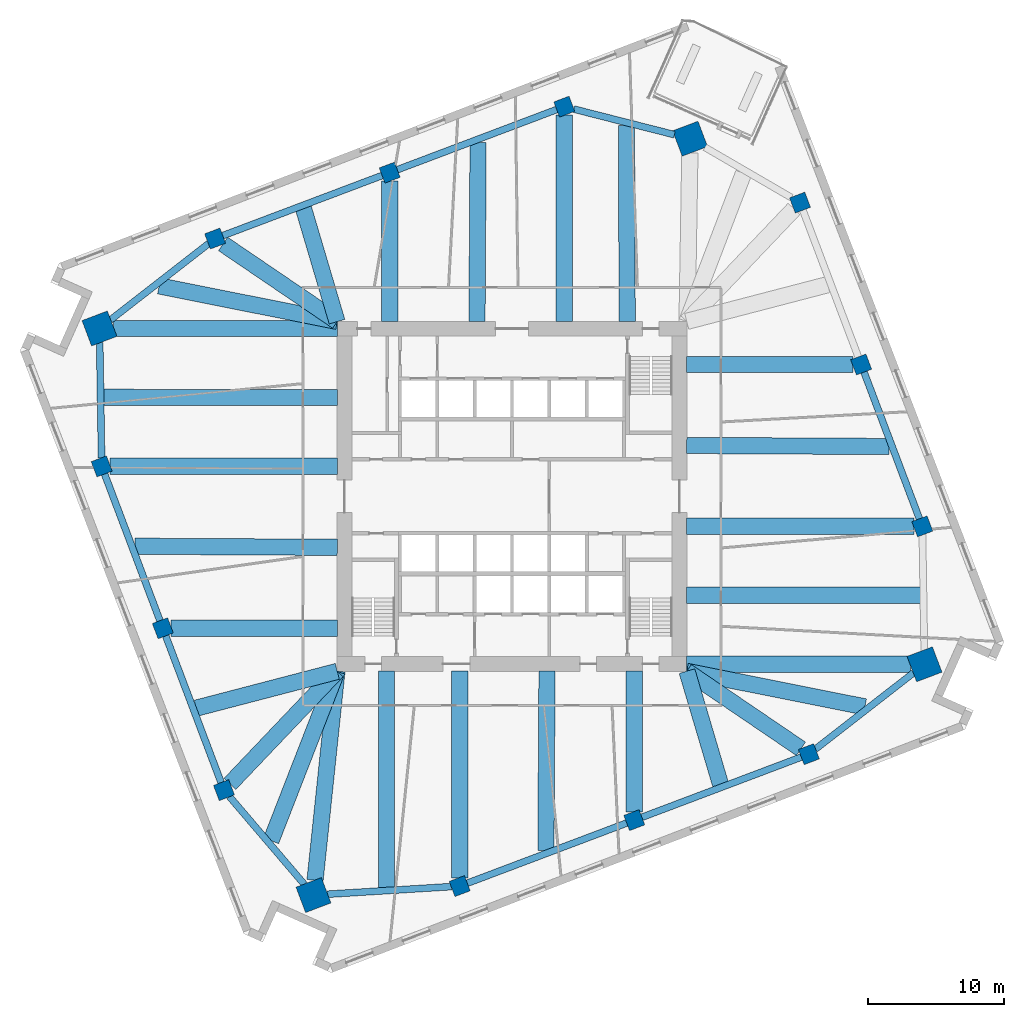
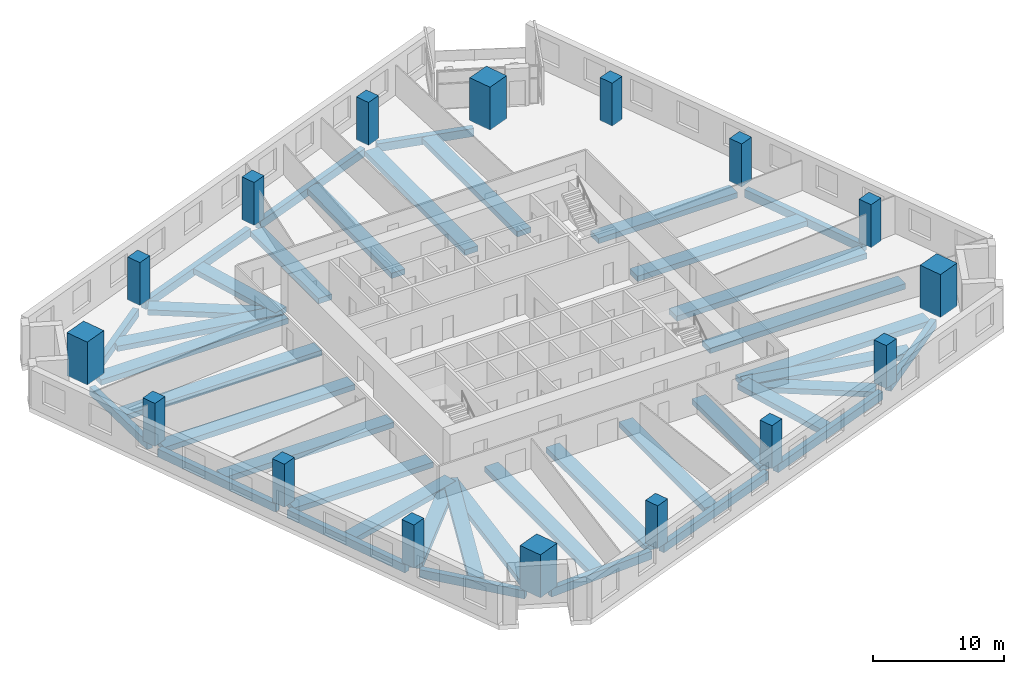
# One storey, part 1 of 14: 41 beams, 16 columns.
"""IFC4 building model written with IfcOpenShell, lengths in metres."""

from ifc_helpers import new_model, si_unit, direction, frame, origin, origin_2d, place, context, subcontext, project, spatial, rectangle, extrude, material, material_profile, profile_set, type_object, element, save


model = new_model("IFC4")

# Units and contexts
model_context = context("Model", 3, precision=1e-05, world=origin(), true_north=direction((0.0, 1.0)))
body_context = subcontext(model_context, "Body", "Model", "MODEL_VIEW")
ifc_project = project(units=[si_unit("LENGTHUNIT", "METRE"), si_unit("AREAUNIT", "SQUARE_METRE"), si_unit("VOLUMEUNIT", "CUBIC_METRE"), si_unit("PLANEANGLEUNIT", "RADIAN"), si_unit("MASSUNIT", "GRAM", prefix="KILO")], contexts=[model_context])

# Site, building, storey
site_placement = place(None, origin())
site = spatial("IfcSite", under=ifc_project, at=site_placement, CompositionType="ELEMENT")
building_placement = place(site_placement, origin())
building = spatial("IfcBuilding", under=site, at=building_placement, Name="Dilmun Exchange Tower", CompositionType="ELEMENT")
storey_placement = place(building_placement, frame((0.0, 0.0, 110.10009765625)))
storey = spatial("IfcBuildingStorey", under=building, at=storey_placement, Name="L25", CompositionType="ELEMENT", Elevation=110.10009765625)

# Columns
ifc_material_1 = material(Name="Concrete C70/85", Category="concrete")
ifc_material_profile_1 = material_profile(ifc_material_1, rectangle(XDim=2.0, YDim=2.0, at=origin_2d()), Name="2000 x 2000")
ifc_profile_set_1 = profile_set([ifc_material_profile_1], Name="Concrete C70/85")
column_type_1 = type_object("IfcColumnType", Name="RC mega column 2000 x 2000 C70/85", PredefinedType="COLUMN", material=ifc_profile_set_1)
for number, where, z_axis, x_axis, name in (
    (1, (13.1220703125, 26.35400390625, 0.0), (0.0, 0.0, 1.0), (0.935491525991, 0.353349125935, 0.0), "Mega column M1"),
    (2, (-30.39404296875, 12.37109375, 0.0), (0.0, 0.0, 1.0), (0.935491525991, 0.353349125935, 0.0), "Mega column M2"),
    (3, (-14.6259765625, -29.3759765625, 0.0), (0.0, 0.0, 1.0), (0.935491525991, 0.353349125935, 0.0), "Mega column M3"),
    (4, (30.39404296875, -12.37109375, 0.0), (0.0, 0.0, 1.0), (0.935491525991, 0.353349125935, 0.0), "Mega column M4"),
):
    element("IfcColumn", number, at=place(storey_placement, frame(where, z_axis=z_axis, x_axis=x_axis)), inside=storey, type_object=column_type_1, Name=name, PredefinedType="COLUMN", context=body_context, shape_type="SweptSolid", body=[
        extrude(rectangle(XDim=2.0, YDim=2.0, at=origin_2d()), origin(), (0.0, 0.0, 1.0), 4.0),
    ])
ifc_material_profile_2 = material_profile(ifc_material_1, rectangle(XDim=1.199951171875, YDim=1.199951171875, at=origin_2d()), Name="1200 x 1200")
ifc_profile_set_2 = profile_set([ifc_material_profile_2], Name="Concrete C70/85")
column_type_2 = type_object("IfcColumnType", Name="RC ring column 1200 x 1200 C70/85", PredefinedType="COLUMN", material=ifc_profile_set_2)
for number, where, z_axis, x_axis, name in (
    (5, (3.85302734375, 28.714111328125, 0.0), (0.0, 0.0, 1.0), (0.935491525991, 0.353349125935, 0.0), "Ring column R01"),
    (6, (-9.010009765625, 23.85498046875, 0.0), (0.0, 0.0, 1.0), (0.935491525991, 0.353349125935, 0.0), "Ring column R02"),
    (7, (-21.873046875, 18.99609375, 0.0), (0.0, 0.0, 1.0), (0.935491525991, 0.353349125935, 0.0), "Ring column R03"),
    (8, (-30.23095703125, 2.2099609375, 0.0), (0.0, 0.0, 1.0), (0.935491525991, 0.353349125935, 0.0), "Ring column R04"),
    (9, (-25.72607421875, -9.717041015625, 0.0), (0.0, 0.0, 1.0), (0.935491525991, 0.353349125935, 0.0), "Ring column R05"),
    (10, (-21.220947265625, -21.64501953125, 0.0), (0.0, 0.0, 1.0), (0.935491525991, 0.353349125935, 0.0), "Ring column R06"),
    (11, (-3.85302734375, -28.714111328125, 0.0), (0.0, 0.0, 1.0), (0.935491525991, 0.353349125935, 0.0), "Ring column R07"),
    (12, (9.010009765625, -23.85498046875, 0.0), (0.0, 0.0, 1.0), (0.935491525991, 0.353349125935, 0.0), "Ring column R08"),
    (13, (21.873046875, -18.99609375, 0.0), (0.0, 0.0, 1.0), (0.935491525991, 0.353349125935, 0.0), "Ring column R09"),
    (14, (30.23095703125, -2.2099609375, 0.0), (0.0, 0.0, 1.0), (0.935491525991, 0.353349125935, 0.0), "Ring column R10"),
    (15, (25.72607421875, 9.717041015625, 0.0), (0.0, 0.0, 1.0), (0.935491525991, 0.353349125935, 0.0), "Ring column R11"),
    (16, (21.220947265625, 21.64501953125, 0.0), (0.0, 0.0, 1.0), (0.935491525991, 0.353349125935, 0.0), "Ring column R12"),
):
    element("IfcColumn", number, at=place(storey_placement, frame(where, z_axis=z_axis, x_axis=x_axis)), inside=storey, type_object=column_type_2, Name=name, PredefinedType="COLUMN", context=body_context, shape_type="SweptSolid", body=[
        extrude(rectangle(XDim=1.199951171875, YDim=1.199951171875, at=origin_2d()), origin(), (0.0, 0.0, 1.0), 4.0),
    ])

# Beams
ifc_material_2 = material(Name="Concrete C40/50", Category="concrete")
ifc_material_profile_3 = material_profile(ifc_material_2, rectangle(XDim=1.199951171875, YDim=0.5, at=origin_2d()), Name="1200 x 500")
ifc_profile_set_3 = profile_set([ifc_material_profile_3], Name="Concrete C40/50")
beam_type_1 = type_object("IfcBeamType", Name="RC band beam 1200 x 500 C40/50", PredefinedType="BEAM", material=ifc_profile_set_3)
beam_1_placement = place(storey_placement, frame((3.85302734375, 28.099609375, -0.77001953125), z_axis=(0.0, -1.0, 0.0), x_axis=(1.0, 0.0, 0.0)))
element("IfcBeam", 17, at=beam_1_placement, inside=storey, type_object=beam_type_1, Name="Band beam 2", PredefinedType="BEAM", context=body_context, shape_type="SweptSolid", body=[
    extrude(rectangle(XDim=1.199951171875, YDim=0.5, at=origin_2d()), origin(), (0.0, 0.0, 1.0), 15.2265625),
])
beam_2_placement = place(storey_placement, frame((-9.010009765625, 23.240478515625, -0.77001953125), z_axis=(0.0, -1.0, 0.0), x_axis=(1.0, 0.0, 0.0)))
element("IfcBeam", 18, at=beam_2_placement, inside=storey, type_object=beam_type_1, Name="Band beam 3", PredefinedType="BEAM", context=body_context, shape_type="SweptSolid", body=[
    extrude(rectangle(XDim=1.199951171875, YDim=0.5, at=origin_2d()), origin(), (0.0, 0.0, 1.0), 10.367431640625),
])
beam_3_placement = place(storey_placement, frame((-21.28857421875, 18.59912109375, -0.77001953125), z_axis=(0.827157308771, -0.561970449888, 0.0), x_axis=(0.561970449888, 0.827157308771, 0.0)))
element("IfcBeam", 19, at=beam_3_placement, inside=storey, type_object=beam_type_1, Name="Band beam 4", PredefinedType="BEAM", context=body_context, shape_type="SweptSolid", body=[
    extrude(rectangle(XDim=1.199951171875, YDim=0.5, at=origin_2d()), origin(), (0.0, 0.0, 1.0), 10.16845703125),
])
beam_4_placement = place(storey_placement, frame((-29.35205078125, 12.37109375, -0.77001953125), z_axis=(1.0, 0.0, 0.0), x_axis=(0.0, 1.0, 0.0)))
element("IfcBeam", 20, at=beam_4_placement, inside=storey, type_object=beam_type_1, Name="Band beam 5", PredefinedType="BEAM", context=body_context, shape_type="SweptSolid", body=[
    extrude(rectangle(XDim=1.199951171875, YDim=0.5, at=origin_2d()), origin(), (0.0, 0.0, 1.0), 16.47900390625),
])
beam_5_placement = place(storey_placement, frame((-29.61669921875, 2.2099609375, -0.77001953125), z_axis=(1.0, 0.0, 0.0), x_axis=(0.0, 1.0, 0.0)))
element("IfcBeam", 21, at=beam_5_placement, inside=storey, type_object=beam_type_1, Name="Band beam 6", PredefinedType="BEAM", context=body_context, shape_type="SweptSolid", body=[
    extrude(rectangle(XDim=1.199951171875, YDim=0.5, at=origin_2d()), origin(), (0.0, 0.0, 1.0), 16.74365234375),
])
beam_6_placement = place(storey_placement, frame((-25.111572265625, -9.717041015625, -0.77001953125), z_axis=(1.0, 0.0, 0.0), x_axis=(0.0, 1.0, 0.0)))
element("IfcBeam", 22, at=beam_6_placement, inside=storey, type_object=beam_type_1, Name="Band beam 7", PredefinedType="BEAM", context=body_context, shape_type="SweptSolid", body=[
    extrude(rectangle(XDim=1.199951171875, YDim=0.5, at=origin_2d()), origin(), (0.0, 0.0, 1.0), 12.238525390625),
])
beam_7_placement = place(storey_placement, frame((-20.780517578125, -21.181884765625, -0.77001953125), z_axis=(0.689333244672, 0.724444392476, 0.0), x_axis=(-0.724444392476, 0.689333244672, 0.0)))
element("IfcBeam", 23, at=beam_7_placement, inside=storey, type_object=beam_type_1, Name="Band beam 8", PredefinedType="BEAM", context=body_context, shape_type="SweptSolid", body=[
    extrude(rectangle(XDim=1.199951171875, YDim=0.5, at=origin_2d()), origin(), (0.0, 0.0, 1.0), 11.459228515625),
])
beam_8_placement = place(storey_placement, frame((-14.51220703125, -28.289794921875, -0.77001953125), z_axis=(0.104185478447, 0.994557884731, 0.0), x_axis=(-0.994557884731, 0.104185478447, 0.0)))
element("IfcBeam", 24, at=beam_8_placement, inside=storey, type_object=beam_type_1, Name="Band beam 9", PredefinedType="BEAM", context=body_context, shape_type="SweptSolid", body=[
    extrude(rectangle(XDim=1.199951171875, YDim=0.5, at=origin_2d()), origin(), (0.0, 0.0, 1.0), 15.501220703125),
])
beam_9_placement = place(storey_placement, frame((-3.85302734375, -28.099609375, -0.77001953125), z_axis=(0.0, 1.0, 0.0), x_axis=(-1.0, 0.0, 0.0)))
element("IfcBeam", 25, at=beam_9_placement, inside=storey, type_object=beam_type_1, Name="Band beam 10", PredefinedType="BEAM", context=body_context, shape_type="SweptSolid", body=[
    extrude(rectangle(XDim=1.199951171875, YDim=0.5, at=origin_2d()), origin(), (0.0, 0.0, 1.0), 15.2265625),
])
beam_10_placement = place(storey_placement, frame((9.010009765625, -23.240478515625, -0.77001953125), z_axis=(0.0, 1.0, 0.0), x_axis=(-1.0, 0.0, 0.0)))
element("IfcBeam", 26, at=beam_10_placement, inside=storey, type_object=beam_type_1, Name="Band beam 11", PredefinedType="BEAM", context=body_context, shape_type="SweptSolid", body=[
    extrude(rectangle(XDim=1.199951171875, YDim=0.5, at=origin_2d()), origin(), (0.0, 0.0, 1.0), 10.367431640625),
])
beam_11_placement = place(storey_placement, frame((21.28857421875, -18.59912109375, -0.77001953125), z_axis=(-0.827157308771, 0.561970449888, 0.0), x_axis=(-0.561970449888, -0.827157308771, 0.0)))
element("IfcBeam", 27, at=beam_11_placement, inside=storey, type_object=beam_type_1, Name="Band beam 12", PredefinedType="BEAM", context=body_context, shape_type="SweptSolid", body=[
    extrude(rectangle(XDim=1.199951171875, YDim=0.5, at=origin_2d()), origin(), (0.0, 0.0, 1.0), 10.16845703125),
])
beam_12_placement = place(storey_placement, frame((29.35205078125, -12.37109375, -0.77001953125), z_axis=(-1.0, 0.0, 0.0), x_axis=(0.0, -1.0, 0.0)))
element("IfcBeam", 28, at=beam_12_placement, inside=storey, type_object=beam_type_1, Name="Band beam 13", PredefinedType="BEAM", context=body_context, shape_type="SweptSolid", body=[
    extrude(rectangle(XDim=1.199951171875, YDim=0.5, at=origin_2d()), origin(), (0.0, 0.0, 1.0), 16.47900390625),
])
beam_13_placement = place(storey_placement, frame((29.61669921875, -2.2099609375, -0.77001953125), z_axis=(-1.0, 0.0, 0.0), x_axis=(0.0, -1.0, 0.0)))
element("IfcBeam", 29, at=beam_13_placement, inside=storey, type_object=beam_type_1, Name="Band beam 14", PredefinedType="BEAM", context=body_context, shape_type="SweptSolid", body=[
    extrude(rectangle(XDim=1.199951171875, YDim=0.5, at=origin_2d()), origin(), (0.0, 0.0, 1.0), 16.74365234375),
])
beam_14_placement = place(storey_placement, frame((25.111572265625, 9.717041015625, -0.77001953125), z_axis=(-1.0, 0.0, 0.0), x_axis=(0.0, -1.0, 0.0)))
element("IfcBeam", 30, at=beam_14_placement, inside=storey, type_object=beam_type_1, Name="Band beam 15", PredefinedType="BEAM", context=body_context, shape_type="SweptSolid", body=[
    extrude(rectangle(XDim=1.199951171875, YDim=0.5, at=origin_2d()), origin(), (0.0, 0.0, 1.0), 12.238525390625),
])
beam_15_placement = place(storey_placement, frame((8.4326171875, 27.31787109375, -0.670166015625), z_axis=(0.003802832253, -0.999992769207, 0.0), x_axis=(0.999992769207, 0.003802832253, 0.0)))
element("IfcBeam", 31, at=beam_15_placement, inside=storey, type_object=beam_type_1, Name="Band beam 17", PredefinedType="BEAM", context=body_context, shape_type="SweptSolid", body=[
    extrude(rectangle(XDim=1.199951171875, YDim=0.5, at=origin_2d()), origin(), (0.0, 0.0, 1.0), 14.44482421875),
])
beam_16_placement = place(storey_placement, frame((-2.499755859375, 26.075927734375, -0.670166015625), z_axis=(-0.005972637047, -0.999982163644, 0.0), x_axis=(0.999982163644, -0.005972637047, 0.0)))
element("IfcBeam", 32, at=beam_16_placement, inside=storey, type_object=beam_type_1, Name="Band beam 18", PredefinedType="BEAM", context=body_context, shape_type="SweptSolid", body=[
    extrude(rectangle(XDim=1.199951171875, YDim=0.5, at=origin_2d()), origin(), (0.0, 0.0, 1.0), 13.203125),
])
beam_17_placement = place(storey_placement, frame((-15.36279296875, 21.216796875, -0.670166015625), z_axis=(0.283932601838, -0.958844240538, 0.0), x_axis=(0.958844240538, 0.283932601838, 0.0)))
element("IfcBeam", 33, at=beam_17_placement, inside=storey, type_object=beam_type_1, Name="Band beam 19", PredefinedType="BEAM", context=body_context, shape_type="SweptSolid", body=[
    extrude(rectangle(XDim=1.199951171875, YDim=0.5, at=origin_2d()), origin(), (0.0, 0.0, 1.0), 8.700927734375),
])
beam_18_placement = place(storey_placement, frame((-25.99658203125, 15.50732421875, -0.670166015625), z_axis=(0.980746640289, -0.19528447855, 0.0), x_axis=(0.19528447855, 0.980746640289, 0.0)))
element("IfcBeam", 34, at=beam_18_placement, inside=storey, type_object=beam_type_1, Name="Band beam 20", PredefinedType="BEAM", context=body_context, shape_type="SweptSolid", body=[
    extrude(rectangle(XDim=1.199951171875, YDim=0.5, at=origin_2d()), origin(), (0.0, 0.0, 1.0), 13.380615234375),
])
beam_19_placement = place(storey_placement, frame((-30.089599609375, 7.294189453125, -0.670166015625), z_axis=(0.999999977378, -0.000212708627, 0.0), x_axis=(0.000212708627, 0.999999977378, 0.0)))
element("IfcBeam", 35, at=beam_19_placement, inside=storey, type_object=beam_type_1, Name="Band beam 21", PredefinedType="BEAM", context=body_context, shape_type="SweptSolid", body=[
    extrude(rectangle(XDim=1.199951171875, YDim=0.5, at=origin_2d()), origin(), (0.0, 0.0, 1.0), 17.216552734375),
])
beam_20_placement = place(storey_placement, frame((-27.77001953125, -3.6748046875, -0.670166015625), z_axis=(0.999986076233, -0.005277057861, 0.0), x_axis=(0.005277057861, 0.999986076233, 0.0)))
element("IfcBeam", 36, at=beam_20_placement, inside=storey, type_object=beam_type_1, Name="Band beam 22", PredefinedType="BEAM", context=body_context, shape_type="SweptSolid", body=[
    extrude(rectangle(XDim=1.199951171875, YDim=0.5, at=origin_2d()), origin(), (0.0, 0.0, 1.0), 14.897216796875),
])
beam_21_placement = place(storey_placement, frame((-23.264892578125, -15.602294921875, -0.670166015625), z_axis=(0.967651305888, 0.252291399404, 0.0), x_axis=(-0.252291399404, 0.967651305888, 0.0)))
element("IfcBeam", 37, at=beam_21_placement, inside=storey, type_object=beam_type_1, Name="Band beam 23", PredefinedType="BEAM", context=body_context, shape_type="SweptSolid", body=[
    extrude(rectangle(XDim=1.199951171875, YDim=0.5, at=origin_2d()), origin(), (0.0, 0.0, 1.0), 10.738525390625),
])
beam_22_placement = place(storey_placement, frame((-17.75390625, -25.36572265625, -0.670166015625), z_axis=(0.362868113779, 0.931840507814, 0.0), x_axis=(-0.931840507814, 0.362868113779, 0.0)))
element("IfcBeam", 38, at=beam_22_placement, inside=storey, type_object=beam_type_1, Name="Band beam 24", PredefinedType="BEAM", context=body_context, shape_type="SweptSolid", body=[
    extrude(rectangle(XDim=1.199951171875, YDim=0.5, at=origin_2d()), origin(), (0.0, 0.0, 1.0), 13.404296875),
])
beam_23_placement = place(storey_placement, frame((-9.253173828125, -28.822509765625, -0.670166015625), z_axis=(0.000857199397, 0.999999632605, 0.0), x_axis=(-0.999999632605, 0.000857199397, 0.0)))
element("IfcBeam", 39, at=beam_23_placement, inside=storey, type_object=beam_type_1, Name="Band beam 25", PredefinedType="BEAM", context=body_context, shape_type="SweptSolid", body=[
    extrude(rectangle(XDim=1.199951171875, YDim=0.5, at=origin_2d()), origin(), (0.0, 0.0, 1.0), 15.949462890625),
])
beam_24_placement = place(storey_placement, frame((2.499755859375, -26.075927734375, -0.670166015625), z_axis=(0.005972637047, 0.999982163644, 0.0), x_axis=(-0.999982163644, 0.005972637047, 0.0)))
element("IfcBeam", 40, at=beam_24_placement, inside=storey, type_object=beam_type_1, Name="Band beam 26", PredefinedType="BEAM", context=body_context, shape_type="SweptSolid", body=[
    extrude(rectangle(XDim=1.199951171875, YDim=0.5, at=origin_2d()), origin(), (0.0, 0.0, 1.0), 13.203125),
])
beam_25_placement = place(storey_placement, frame((15.36279296875, -21.216796875, -0.670166015625), z_axis=(-0.283932601838, 0.958844240538, 0.0), x_axis=(-0.958844240538, -0.283932601838, 0.0)))
element("IfcBeam", 41, at=beam_25_placement, inside=storey, type_object=beam_type_1, Name="Band beam 27", PredefinedType="BEAM", context=body_context, shape_type="SweptSolid", body=[
    extrude(rectangle(XDim=1.199951171875, YDim=0.5, at=origin_2d()), origin(), (0.0, 0.0, 1.0), 8.700927734375),
])
beam_26_placement = place(storey_placement, frame((25.99658203125, -15.50732421875, -0.670166015625), z_axis=(-0.980746640289, 0.19528447855, 0.0), x_axis=(-0.19528447855, -0.980746640289, 0.0)))
element("IfcBeam", 42, at=beam_26_placement, inside=storey, type_object=beam_type_1, Name="Band beam 28", PredefinedType="BEAM", context=body_context, shape_type="SweptSolid", body=[
    extrude(rectangle(XDim=1.199951171875, YDim=0.5, at=origin_2d()), origin(), (0.0, 0.0, 1.0), 13.380615234375),
])
beam_27_placement = place(storey_placement, frame((30.089599609375, -7.294189453125, -0.670166015625), z_axis=(-0.999999977378, 0.000212708627, 0.0), x_axis=(-0.000212708627, -0.999999977378, 0.0)))
element("IfcBeam", 43, at=beam_27_placement, inside=storey, type_object=beam_type_1, Name="Band beam 29", PredefinedType="BEAM", context=body_context, shape_type="SweptSolid", body=[
    extrude(rectangle(XDim=1.199951171875, YDim=0.5, at=origin_2d()), origin(), (0.0, 0.0, 1.0), 17.216552734375),
])
beam_28_placement = place(storey_placement, frame((27.77001953125, 3.6748046875, -0.670166015625), z_axis=(-0.999986076233, 0.005277057861, 0.0), x_axis=(-0.005277057861, -0.999986076233, 0.0)))
element("IfcBeam", 44, at=beam_28_placement, inside=storey, type_object=beam_type_1, Name="Band beam 30", PredefinedType="BEAM", context=body_context, shape_type="SweptSolid", body=[
    extrude(rectangle(XDim=1.199951171875, YDim=0.5, at=origin_2d()), origin(), (0.0, 0.0, 1.0), 14.897216796875),
])
ifc_material_profile_4 = material_profile(ifc_material_2, rectangle(XDim=0.5, YDim=0.75, at=origin_2d()), Name="500 x 750")
ifc_profile_set_4 = profile_set([ifc_material_profile_4], Name="Concrete C40/50")
beam_type_2 = type_object("IfcBeamType", Name="RC ring beam 500 x 750 C40/50", PredefinedType="SPANDREL", material=ifc_profile_set_4)
beam_29_placement = place(storey_placement, frame((11.965576171875, 26.6484375, -0.795166015625), z_axis=(-0.969078622485, 0.246752149825, 0.0), x_axis=(-0.246752149825, -0.969078622485, 0.0)))
element("IfcBeam", 45, at=beam_29_placement, inside=storey, type_object=beam_type_2, Name="Ring beam 1", PredefinedType="SPANDREL", context=body_context, shape_type="SweptSolid", body=[
    extrude(rectangle(XDim=0.5, YDim=0.75, at=origin_2d()), origin(), (0.0, 0.0, 1.0), 7.666015625),
])
for number, where, z_axis, x_axis, name in (
    (46, (3.31689453125, 28.511474609375, -0.795166015625), (-0.935485896268, -0.353364030264, 0.0), (0.353364030264, -0.935485896268, 0.0), "Ring beam 2"),
    (47, (-9.5458984375, 23.652587890625, -0.795166015625), (-0.935479493126, -0.353380981294, 0.0), (0.353380981294, -0.935479493126, 0.0), "Ring beam 3"),
):
    element("IfcBeam", number, at=place(storey_placement, frame(where, z_axis=z_axis, x_axis=x_axis)), inside=storey, type_object=beam_type_2, Name=name, PredefinedType="SPANDREL", context=body_context, shape_type="SweptSolid", body=[
        extrude(rectangle(XDim=0.5, YDim=0.75, at=origin_2d()), origin(), (0.0, 0.0, 1.0), 12.604248046875),
    ])
beam_30_placement = place(storey_placement, frame((-22.347412109375, 18.627197265625, -0.795166015625), z_axis=(-0.789461122688, -0.613800566767, 0.0), x_axis=(0.613800566767, -0.789461122688, 0.0)))
element("IfcBeam", 48, at=beam_30_placement, inside=storey, type_object=beam_type_2, Name="Ring beam 4", PredefinedType="SPANDREL", context=body_context, shape_type="SweptSolid", body=[
    extrude(rectangle(XDim=0.5, YDim=0.75, at=origin_2d()), origin(), (0.0, 0.0, 1.0), 9.1728515625),
])
beam_31_placement = place(storey_placement, frame((-30.37744140625, 11.33544921875, -0.795166015625), z_axis=(0.016054357527, -0.999871120497, 0.0), x_axis=(0.999871120497, 0.016054357527, 0.0)))
element("IfcBeam", 49, at=beam_31_placement, inside=storey, type_object=beam_type_2, Name="Ring beam 5", PredefinedType="SPANDREL", context=body_context, shape_type="SweptSolid", body=[
    extrude(rectangle(XDim=0.5, YDim=0.75, at=origin_2d()), origin(), (0.0, 0.0, 1.0), 8.515869140625),
])
beam_32_placement = place(storey_placement, frame((-30.028564453125, 1.674072265625, -0.795166015625), z_axis=(0.353349831573, -0.935491259461, 0.0), x_axis=(0.935491259461, 0.353349831573, 0.0)))
element("IfcBeam", 50, at=beam_32_placement, inside=storey, type_object=beam_type_2, Name="Ring beam 6", PredefinedType="SPANDREL", context=body_context, shape_type="SweptSolid", body=[
    extrude(rectangle(XDim=0.5, YDim=0.75, at=origin_2d()), origin(), (0.0, 0.0, 1.0), 11.603515625),
])
beam_33_placement = place(storey_placement, frame((-25.5234375, -10.2529296875, -0.795166015625), z_axis=(0.353303601311, -0.935508720056, 0.0), x_axis=(0.935508720056, 0.353303601311, 0.0)))
element("IfcBeam", 51, at=beam_33_placement, inside=storey, type_object=beam_type_2, Name="Ring beam 7", PredefinedType="SPANDREL", context=body_context, shape_type="SweptSolid", body=[
    extrude(rectangle(XDim=0.5, YDim=0.75, at=origin_2d()), origin(), (0.0, 0.0, 1.0), 11.604248046875),
])
beam_34_placement = place(storey_placement, frame((-20.82470703125, -22.109619140625, -0.795166015625), z_axis=(0.64900225023, -0.76078648726, 0.0), x_axis=(0.76078648726, 0.64900225023, 0.0)))
element("IfcBeam", 52, at=beam_34_placement, inside=storey, type_object=beam_type_2, Name="Ring beam 8", PredefinedType="SPANDREL", context=body_context, shape_type="SweptSolid", body=[
    extrude(rectangle(XDim=0.5, YDim=0.75, at=origin_2d()), origin(), (0.0, 0.0, 1.0), 8.515625),
])
beam_35_placement = place(storey_placement, frame((-13.608154296875, -29.3134765625, -0.795166015625), z_axis=(0.998117890072, 0.061324363166, 0.0), x_axis=(-0.061324363166, 0.998117890072, 0.0)))
element("IfcBeam", 53, at=beam_35_placement, inside=storey, type_object=beam_type_2, Name="Ring beam 9", PredefinedType="SPANDREL", context=body_context, shape_type="SweptSolid", body=[
    extrude(rectangle(XDim=0.5, YDim=0.75, at=origin_2d()), origin(), (0.0, 0.0, 1.0), 9.172607421875),
])
for number, where, z_axis, x_axis, name in (
    (54, (-3.31689453125, -28.511474609375, -0.795166015625), (0.935485896268, 0.353364030264, 0.0), (-0.353364030264, 0.935485896268, 0.0), "Ring beam 10"),
    (55, (9.5458984375, -23.652587890625, -0.795166015625), (0.935479493126, 0.353380981294, 0.0), (-0.353380981294, 0.935479493126, 0.0), "Ring beam 11"),
):
    element("IfcBeam", number, at=place(storey_placement, frame(where, z_axis=z_axis, x_axis=x_axis)), inside=storey, type_object=beam_type_2, Name=name, PredefinedType="SPANDREL", context=body_context, shape_type="SweptSolid", body=[
        extrude(rectangle(XDim=0.5, YDim=0.75, at=origin_2d()), origin(), (0.0, 0.0, 1.0), 12.604248046875),
    ])
beam_36_placement = place(storey_placement, frame((22.347412109375, -18.627197265625, -0.795166015625), z_axis=(0.789461122688, 0.613800566767, 0.0), x_axis=(-0.613800566767, 0.789461122688, 0.0)))
element("IfcBeam", 56, at=beam_36_placement, inside=storey, type_object=beam_type_2, Name="Ring beam 12", PredefinedType="SPANDREL", context=body_context, shape_type="SweptSolid", body=[
    extrude(rectangle(XDim=0.5, YDim=0.75, at=origin_2d()), origin(), (0.0, 0.0, 1.0), 9.1728515625),
])
beam_37_placement = place(storey_placement, frame((30.028564453125, -1.674072265625, -0.795166015625), z_axis=(-0.353349831573, 0.935491259461, 0.0), x_axis=(-0.935491259461, -0.353349831573, 0.0)))
element("IfcBeam", 57, at=beam_37_placement, inside=storey, type_object=beam_type_2, Name="Ring beam 14", PredefinedType="SPANDREL", context=body_context, shape_type="SweptSolid", body=[
    extrude(rectangle(XDim=0.5, YDim=0.75, at=origin_2d()), origin(), (0.0, 0.0, 1.0), 11.603515625),
])

save(model, "model.ifc")
